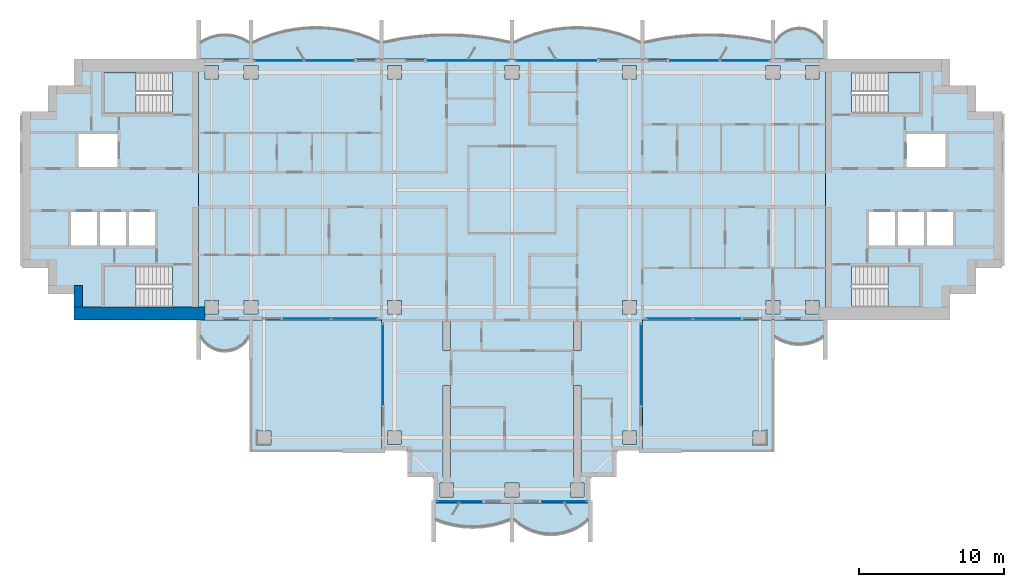
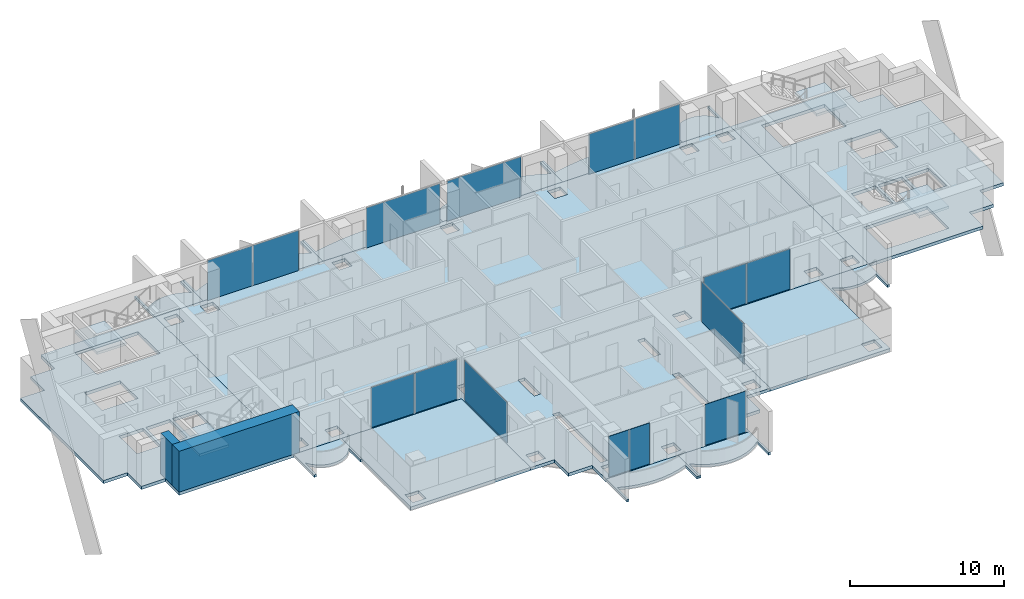
# One storey, part 7 of 18: 19 slabs, 14 plates, 2 walls, 14 elements without a shape of their own.
"""IFC4 building model written with IfcOpenShell, lengths in metres."""

from ifc_helpers import new_model, si_unit, direction, frame, frame_2d, origin, origin_2d, place, context, subcontext, project, spatial, polyline, rectangle, outline, extrude, material, layer, layer_set, type_object, element, aggregate, save


model = new_model("IFC4")

# Units and contexts
model_context = context("Model", 3, precision=1e-05, world=origin(), true_north=direction((0.0, 1.0)))
body_context = subcontext(model_context, "Body", "Model", "MODEL_VIEW")
ifc_project = project(units=[si_unit("LENGTHUNIT", "METRE"), si_unit("AREAUNIT", "SQUARE_METRE"), si_unit("VOLUMEUNIT", "CUBIC_METRE"), si_unit("PLANEANGLEUNIT", "RADIAN"), si_unit("MASSUNIT", "GRAM", prefix="KILO")], contexts=[model_context])

# Site, building, storey
site_placement = place(None, origin())
site = spatial("IfcSite", under=ifc_project, at=site_placement, CompositionType="ELEMENT")
building_placement = place(site_placement, origin())
building = spatial("IfcBuilding", under=site, at=building_placement, Name="Perihelion Cross Residences", CompositionType="ELEMENT")
storey_placement = place(building_placement, frame((0.0, 0.0, 215.60009765625)))
storey = spatial("IfcBuildingStorey", under=building, at=storey_placement, Name="L54", CompositionType="ELEMENT", Elevation=215.60009765625)

# Slabs
ifc_material_1 = material(Name="Concrete C40/50", Category="concrete")
ifc_layer_1 = layer(ifc_material_1, 0.199951171875)
ifc_layer_set_1 = layer_set([ifc_layer_1], Name="Balcony slab 200")
slab_type_1 = type_object("IfcSlabType", Name="Balcony slab 200", PredefinedType="FLOOR", material=ifc_layer_set_1)
slab_1_placement = place(storey_placement, frame((0.0, 0.0, -0.2001953125)))
element("IfcSlab", 1, at=slab_1_placement, inside=storey, type_object=slab_type_1, Name="Slab BK1 L54 east side north bay 1 balcony", PredefinedType="FLOOR", context=body_context, shape_type="SweptSolid", body=[
    extrude(outline(polyline([(21.60009765625, 9.0), (18.0, 9.0), (18.0, 11.699951171875), (18.14990234375, 11.699951171875), (18.14990234375, 10.199951171875), (18.425048828125, 10.568603515625), (18.699951171875, 10.806396484375), (18.97509765625, 10.96875), (19.25, 11.07568359375), (19.52490234375, 11.136962890625), (19.800048828125, 11.156982421875), (20.074951171875, 11.136962890625), (20.35009765625, 11.07568359375), (20.625, 10.96875), (20.89990234375, 10.806396484375), (21.175048828125, 10.568603515625), (21.449951171875, 10.199951171875), (21.449951171875, 11.699951171875), (21.60009765625, 11.699951171875), (21.60009765625, 9.0)])), origin(), (0.0, 0.0, 1.0), 0.2001953125),
])
slab_2_placement = place(storey_placement, frame((0.0, 0.0, -0.2001953125)))
element("IfcSlab", 2, at=slab_2_placement, inside=storey, type_object=slab_type_1, Name="Slab BK1 L54 east side north bay 2 balcony", PredefinedType="FLOOR", context=body_context, shape_type="SweptSolid", body=[
    extrude(outline(polyline([(18.0, 9.0), (9.0, 9.0), (9.0, 11.699951171875), (9.14990234375, 11.699951171875), (9.14990234375, 10.199951171875), (10.237548828125, 10.42041015625), (11.324951171875, 10.576171875), (12.41259765625, 10.669189453125), (13.5, 10.699951171875), (14.58740234375, 10.669189453125), (15.675048828125, 10.576171875), (16.762451171875, 10.42041015625), (17.85009765625, 10.199951171875), (17.85009765625, 11.699951171875), (18.0, 11.699951171875), (18.0, 9.0)])), origin(), (0.0, 0.0, 1.0), 0.2001953125),
])
slab_3_placement = place(storey_placement, frame((0.0, 0.0, -0.2001953125)))
element("IfcSlab", 3, at=slab_3_placement, inside=storey, type_object=slab_type_1, Name="Slab BK1 L54 north side east bay 1 balcony", PredefinedType="FLOOR", context=body_context, shape_type="SweptSolid", body=[
    extrude(outline(polyline([(9.0, 9.0), (0.0, 9.0), (0.0, 11.699951171875), (0.14990234375, 11.699951171875), (0.14990234375, 10.199951171875), (0.875, 10.51708984375), (1.60009765625, 10.7685546875), (2.324951171875, 10.959716796875), (3.050048828125, 11.093994140625), (3.77490234375, 11.173583984375), (4.5, 11.199951171875), (5.22509765625, 11.173583984375), (5.949951171875, 11.093994140625), (6.675048828125, 10.959716796875), (7.39990234375, 10.7685546875), (8.125, 10.51708984375), (8.85009765625, 10.199951171875), (8.85009765625, 11.699951171875), (9.0, 11.699951171875), (9.0, 9.0)])), origin(), (0.0, 0.0, 1.0), 0.2001953125),
])
slab_4_placement = place(storey_placement, frame((0.0, 0.0, -0.2001953125)))
element("IfcSlab", 4, at=slab_4_placement, inside=storey, type_object=slab_type_1, Name="Slab BK1 L54 north side east bay 2 balcony", PredefinedType="FLOOR", context=body_context, shape_type="SweptSolid", body=[
    extrude(outline(polyline([(0.0, 9.0), (-9.0, 9.0), (-9.0, 11.699951171875), (-8.85009765625, 11.699951171875), (-8.85009765625, 10.199951171875), (-7.762451171875, 10.42041015625), (-6.675048828125, 10.576171875), (-5.58740234375, 10.669189453125), (-4.5, 10.699951171875), (-3.41259765625, 10.669189453125), (-2.324951171875, 10.576171875), (-1.237548828125, 10.42041015625), (-0.14990234375, 10.199951171875), (-0.14990234375, 11.699951171875), (0.0, 11.699951171875), (0.0, 9.0)])), origin(), (0.0, 0.0, 1.0), 0.2001953125),
])
slab_5_placement = place(storey_placement, frame((0.0, 0.0, -0.2001953125)))
element("IfcSlab", 5, at=slab_5_placement, inside=storey, type_object=slab_type_1, Name="Slab BK1 L54 west side north bay 1 balcony", PredefinedType="FLOOR", context=body_context, shape_type="SweptSolid", body=[
    extrude(outline(polyline([(-9.0, 9.0), (-18.0, 9.0), (-18.0, 11.699951171875), (-17.85009765625, 11.699951171875), (-17.85009765625, 10.199951171875), (-17.125, 10.51708984375), (-16.39990234375, 10.7685546875), (-15.675048828125, 10.959716796875), (-14.949951171875, 11.093994140625), (-14.22509765625, 11.173583984375), (-13.5, 11.199951171875), (-12.77490234375, 11.173583984375), (-12.050048828125, 11.093994140625), (-11.324951171875, 10.959716796875), (-10.60009765625, 10.7685546875), (-9.875, 10.51708984375), (-9.14990234375, 10.199951171875), (-9.14990234375, 11.699951171875), (-9.0, 11.699951171875), (-9.0, 9.0)])), origin(), (0.0, 0.0, 1.0), 0.2001953125),
])
slab_6_placement = place(storey_placement, frame((0.0, 0.0, -0.2001953125)))
element("IfcSlab", 6, at=slab_6_placement, inside=storey, type_object=slab_type_1, Name="Slab BK1 L54 west side north bay 2 balcony", PredefinedType="FLOOR", context=body_context, shape_type="SweptSolid", body=[
    extrude(outline(polyline([(-18.0, 9.0), (-21.60009765625, 9.0), (-21.60009765625, 11.699951171875), (-21.449951171875, 11.699951171875), (-21.449951171875, 10.199951171875), (-21.083251953125, 10.40869140625), (-20.716552734375, 10.55517578125), (-20.35009765625, 10.648681640625), (-19.9833984375, 10.6943359375), (-19.61669921875, 10.6943359375), (-19.25, 10.648681640625), (-18.88330078125, 10.55517578125), (-18.5166015625, 10.40869140625), (-18.14990234375, 10.199951171875), (-18.14990234375, 11.699951171875), (-18.0, 11.699951171875), (-18.0, 9.0)])), origin(), (0.0, 0.0, 1.0), 0.2001953125),
])
slab_7_placement = place(storey_placement, frame((0.0, 0.0, -0.2001953125)))
element("IfcSlab", 7, at=slab_7_placement, inside=storey, type_object=slab_type_1, Name="Slab BK1 L54 west side south bay 1 balcony", PredefinedType="FLOOR", context=body_context, shape_type="SweptSolid", body=[
    extrude(outline(polyline([(-21.60009765625, -9.0), (-18.0, -9.0), (-18.0, -11.699951171875), (-18.14990234375, -11.699951171875), (-18.14990234375, -10.199951171875), (-18.425048828125, -10.568603515625), (-18.699951171875, -10.806396484375), (-18.97509765625, -10.96875), (-19.25, -11.07568359375), (-19.52490234375, -11.136962890625), (-19.800048828125, -11.156982421875), (-20.074951171875, -11.136962890625), (-20.35009765625, -11.07568359375), (-20.625, -10.96875), (-20.89990234375, -10.806396484375), (-21.175048828125, -10.568603515625), (-21.449951171875, -10.199951171875), (-21.449951171875, -11.699951171875), (-21.60009765625, -11.699951171875), (-21.60009765625, -9.0)])), origin(), (0.0, 0.0, 1.0), 0.2001953125),
])
slab_8_placement = place(storey_placement, frame((0.0, 0.0, -0.2001953125)))
element("IfcSlab", 8, at=slab_8_placement, inside=storey, type_object=slab_type_1, Name="Slab BK1 L54 south tip south bay 1 balcony", PredefinedType="FLOOR", context=body_context, shape_type="SweptSolid", body=[
    extrude(outline(polyline([(-5.39990234375, -21.60009765625), (0.0, -21.60009765625), (0.0, -24.300048828125), (-0.14990234375, -24.300048828125), (-0.14990234375, -22.800048828125), (-0.78759765625, -23.0234375), (-1.425048828125, -23.178466796875), (-2.0625, -23.269775390625), (-2.699951171875, -23.300048828125), (-3.33740234375, -23.269775390625), (-3.97509765625, -23.178466796875), (-4.612548828125, -23.0234375), (-5.25, -22.800048828125), (-5.25, -24.300048828125), (-5.39990234375, -24.300048828125), (-5.39990234375, -21.60009765625)])), origin(), (0.0, 0.0, 1.0), 0.2001953125),
])
slab_9_placement = place(storey_placement, frame((0.0, 0.0, -0.2001953125)))
element("IfcSlab", 9, at=slab_9_placement, inside=storey, type_object=slab_type_1, Name="Slab BK1 L54 south tip south bay 2 balcony", PredefinedType="FLOOR", context=body_context, shape_type="SweptSolid", body=[
    extrude(outline(polyline([(0.0, -21.60009765625), (5.39990234375, -21.60009765625), (5.39990234375, -24.300048828125), (5.25, -24.300048828125), (5.25, -22.800048828125), (4.824951171875, -23.14013671875), (4.39990234375, -23.392578125), (3.97509765625, -23.57666015625), (3.550048828125, -23.702392578125), (3.125, -23.77587890625), (2.699951171875, -23.800048828125), (2.27490234375, -23.77587890625), (1.85009765625, -23.702392578125), (1.425048828125, -23.57666015625), (1.0, -23.392578125), (0.574951171875, -23.14013671875), (0.14990234375, -22.800048828125), (0.14990234375, -24.300048828125), (0.0, -24.300048828125), (0.0, -21.60009765625)])), origin(), (0.0, 0.0, 1.0), 0.2001953125),
])
slab_10_placement = place(storey_placement, frame((0.0, 0.0, -0.2001953125)))
element("IfcSlab", 10, at=slab_10_placement, inside=storey, type_object=slab_type_1, Name="Slab BK1 L54 east side south bay 2 balcony", PredefinedType="FLOOR", context=body_context, shape_type="SweptSolid", body=[
    extrude(outline(polyline([(18.0, -9.0), (21.60009765625, -9.0), (21.60009765625, -11.699951171875), (21.449951171875, -11.699951171875), (21.449951171875, -10.199951171875), (21.083251953125, -10.40869140625), (20.716552734375, -10.55517578125), (20.35009765625, -10.648681640625), (19.9833984375, -10.6943359375), (19.61669921875, -10.6943359375), (19.25, -10.648681640625), (18.88330078125, -10.55517578125), (18.5166015625, -10.40869140625), (18.14990234375, -10.199951171875), (18.14990234375, -11.699951171875), (18.0, -11.699951171875), (18.0, -9.0)])), origin(), (0.0, 0.0, 1.0), 0.2001953125),
])

# Curtain wall, plates
ifc_material_2 = material(Name="Bronze anodised aluminium, tinted glazing", Category="aluminium")
curtain_wall_type = type_object("IfcCurtainWallType", Name="CW1", PredefinedType="NOTDEFINED", material=ifc_material_2)
curtain_wall_1_placement = place(storey_placement, origin())
curtain_wall_1 = element("IfcCurtainWall", 11, at=curtain_wall_1_placement, inside=storey, type_object=curtain_wall_type, Name="Curtain wall CW1 L54 east side north bay 2", PredefinedType="NOTDEFINED")
ifc_material_3 = material(Name="Tinted laminated glass", Category="glass")
ifc_layer_2 = layer(ifc_material_3, 0.028076171875)
ifc_layer_set_2 = layer_set([ifc_layer_2], Name="CW1 panel")
plate_type = type_object("IfcPlateType", Name="CW1 panel", PredefinedType="CURTAIN_PANEL", material=ifc_layer_set_2)
plate_1_placement = place(storey_placement, frame((16.06005859375, 8.89990234375, 0.0), z_axis=(0.0, 0.0, 1.0), x_axis=(-1.0, 0.0, 0.0)))
plate_1 = element("IfcPlate", 12, at=plate_1_placement, type_object=plate_type, Name="CW1 panel 1", PredefinedType="CURTAIN_PANEL", context=body_context, shape_type="SweptSolid", body=[
    extrude(rectangle(XDim=3.360107421875, YDim=0.028076171875, at=origin_2d()), origin(), (0.0, 0.0, 1.0), 3.18994140625),
])
plate_2_placement = place(storey_placement, frame((12.610107421875, 8.89990234375, 0.0), z_axis=(0.0, 0.0, 1.0), x_axis=(-1.0, 0.0, 0.0)))
plate_2 = element("IfcPlate", 13, at=plate_2_placement, type_object=plate_type, Name="CW1 panel 2", PredefinedType="CURTAIN_PANEL", context=body_context, shape_type="SweptSolid", body=[
    extrude(rectangle(XDim=3.419921875, YDim=0.028076171875, at=origin_2d()), origin(), (0.0, 0.0, 1.0), 3.18994140625),
])
aggregate(curtain_wall_1, [plate_1, plate_2])

# Curtain wall, plate
curtain_wall_2_placement = place(storey_placement, origin())
curtain_wall_2 = element("IfcCurtainWall", 14, at=curtain_wall_2_placement, inside=storey, type_object=curtain_wall_type, Name="Curtain wall CW1 L54 north side east bay 1", PredefinedType="NOTDEFINED")
plate_3_placement = place(storey_placement, frame((3.04248046875, 8.89990234375, 0.0), z_axis=(0.0, 0.0, 1.0), x_axis=(-1.0, 0.0, 0.0)))
plate_3 = element("IfcPlate", 15, at=plate_3_placement, type_object=plate_type, Name="CW1 panel 1", PredefinedType="CURTAIN_PANEL", context=body_context, shape_type="SweptSolid", body=[
    extrude(rectangle(XDim=5.56494140625, YDim=0.028076171875, at=origin_2d()), origin(), (0.0, 0.0, 1.0), 3.18994140625),
])
aggregate(curtain_wall_2, [plate_3])

curtain_wall_3_placement = place(storey_placement, origin())
curtain_wall_3 = element("IfcCurtainWall", 16, at=curtain_wall_3_placement, inside=storey, type_object=curtain_wall_type, Name="Curtain wall CW1 L54 north side east bay 2", PredefinedType="NOTDEFINED")
plate_4_placement = place(storey_placement, frame((-3.04248046875, 8.89990234375, 0.0), z_axis=(0.0, 0.0, 1.0), x_axis=(-1.0, 0.0, 0.0)))
plate_4 = element("IfcPlate", 17, at=plate_4_placement, type_object=plate_type, Name="CW1 panel 1", PredefinedType="CURTAIN_PANEL", context=body_context, shape_type="SweptSolid", body=[
    extrude(rectangle(XDim=5.56494140625, YDim=0.028076171875, at=origin_2d()), origin(), (0.0, 0.0, 1.0), 3.18994140625),
])
aggregate(curtain_wall_3, [plate_4])

# Curtain wall, plates
curtain_wall_4_placement = place(storey_placement, origin())
curtain_wall_4 = element("IfcCurtainWall", 18, at=curtain_wall_4_placement, inside=storey, type_object=curtain_wall_type, Name="Curtain wall CW1 L54 west side north bay 1", PredefinedType="NOTDEFINED")
plate_5_placement = place(storey_placement, frame((-12.610107421875, 8.89990234375, 0.0), z_axis=(0.0, 0.0, 1.0), x_axis=(-1.0, 0.0, 0.0)))
plate_5 = element("IfcPlate", 19, at=plate_5_placement, type_object=plate_type, Name="CW1 panel 1", PredefinedType="CURTAIN_PANEL", context=body_context, shape_type="SweptSolid", body=[
    extrude(rectangle(XDim=3.419921875, YDim=0.028076171875, at=origin_2d()), origin(), (0.0, 0.0, 1.0), 3.18994140625),
])
plate_6_placement = place(storey_placement, frame((-16.06005859375, 8.89990234375, 0.0), z_axis=(0.0, 0.0, 1.0), x_axis=(-1.0, 0.0, 0.0)))
plate_6 = element("IfcPlate", 20, at=plate_6_placement, type_object=plate_type, Name="CW1 panel 2", PredefinedType="CURTAIN_PANEL", context=body_context, shape_type="SweptSolid", body=[
    extrude(rectangle(XDim=3.360107421875, YDim=0.028076171875, at=origin_2d()), origin(), (0.0, 0.0, 1.0), 3.18994140625),
])
aggregate(curtain_wall_4, [plate_5, plate_6])

curtain_wall_5_placement = place(storey_placement, origin())
curtain_wall_5 = element("IfcCurtainWall", 21, at=curtain_wall_5_placement, inside=storey, type_object=curtain_wall_type, Name="Curtain wall CW1 L54 west side south bay 2", PredefinedType="NOTDEFINED")
plate_7_placement = place(storey_placement, frame((-14.108642578125, -8.89990234375, 0.0), z_axis=(0.0, 0.0, 1.0), x_axis=(1.0, 0.0, 0.0)))
plate_7 = element("IfcPlate", 22, at=plate_7_placement, type_object=plate_type, Name="CW1 panel 1", PredefinedType="CURTAIN_PANEL", context=body_context, shape_type="SweptSolid", body=[
    extrude(rectangle(XDim=3.232421875, YDim=0.028076171875, at=origin_2d()), origin(), (0.0, 0.0, 1.0), 3.18994140625),
])
plate_8_placement = place(storey_placement, frame((-10.84619140625, -8.89990234375, 0.0), z_axis=(0.0, 0.0, 1.0), x_axis=(1.0, 0.0, 0.0)))
plate_8 = element("IfcPlate", 23, at=plate_8_placement, type_object=plate_type, Name="CW1 panel 2", PredefinedType="CURTAIN_PANEL", context=body_context, shape_type="SweptSolid", body=[
    extrude(rectangle(XDim=3.172607421875, YDim=0.028076171875, at=origin_2d()), origin(), (0.0, 0.0, 1.0), 3.18994140625),
])
aggregate(curtain_wall_5, [plate_7, plate_8])

# Curtain wall, plate
curtain_wall_6_placement = place(storey_placement, origin())
curtain_wall_6 = element("IfcCurtainWall", 24, at=curtain_wall_6_placement, inside=storey, type_object=curtain_wall_type, Name="Curtain wall CW1 L54 south side west bay 1", PredefinedType="NOTDEFINED")
plate_9_placement = place(storey_placement, frame((-8.89990234375, -12.04248046875, 0.0), z_axis=(0.0, 0.0, 1.0), x_axis=(0.0, -1.0, 0.0)))
plate_9 = element("IfcPlate", 25, at=plate_9_placement, type_object=plate_type, Name="CW1 panel 1", PredefinedType="CURTAIN_PANEL", context=body_context, shape_type="SweptSolid", body=[
    extrude(rectangle(XDim=5.56494140625, YDim=0.028076171875, at=origin_2d()), origin(), (0.0, 0.0, 1.0), 3.18994140625),
])
aggregate(curtain_wall_6, [plate_9])

curtain_wall_7_placement = place(storey_placement, origin())
curtain_wall_7 = element("IfcCurtainWall", 26, at=curtain_wall_7_placement, inside=storey, type_object=curtain_wall_type, Name="Curtain wall CW1 L54 south tip south bay 1", PredefinedType="NOTDEFINED")
plate_10_placement = place(storey_placement, frame((-3.607421875, -21.5, 0.0), z_axis=(0.0, 0.0, 1.0), x_axis=(1.0, 0.0, 0.0)))
plate_10 = element("IfcPlate", 27, at=plate_10_placement, type_object=plate_type, Name="CW1 panel 1", PredefinedType="CURTAIN_PANEL", context=body_context, shape_type="SweptSolid", body=[
    extrude(rectangle(XDim=3.06494140625, YDim=0.028076171875, at=origin_2d()), origin(), (0.0, 0.0, 1.0), 3.25),
])
aggregate(curtain_wall_7, [plate_10])

curtain_wall_8_placement = place(storey_placement, origin())
curtain_wall_8 = element("IfcCurtainWall", 28, at=curtain_wall_8_placement, inside=storey, type_object=curtain_wall_type, Name="Curtain wall CW1 L54 south tip south bay 2", PredefinedType="NOTDEFINED")
plate_11_placement = place(storey_placement, frame((3.607421875, -21.5, 0.0), z_axis=(0.0, 0.0, 1.0), x_axis=(1.0, 0.0, 0.0)))
plate_11 = element("IfcPlate", 29, at=plate_11_placement, type_object=plate_type, Name="CW1 panel 1", PredefinedType="CURTAIN_PANEL", context=body_context, shape_type="SweptSolid", body=[
    extrude(rectangle(XDim=3.06494140625, YDim=0.028076171875, at=origin_2d()), origin(), (0.0, 0.0, 1.0), 3.25),
])
aggregate(curtain_wall_8, [plate_11])

curtain_wall_9_placement = place(storey_placement, origin())
curtain_wall_9 = element("IfcCurtainWall", 30, at=curtain_wall_9_placement, inside=storey, type_object=curtain_wall_type, Name="Curtain wall CW1 L54 south side east bay 1", PredefinedType="NOTDEFINED")
plate_12_placement = place(storey_placement, frame((8.89990234375, -12.04248046875, 0.0), z_axis=(0.0, 0.0, 1.0), x_axis=(0.0, 1.0, 0.0)))
plate_12 = element("IfcPlate", 31, at=plate_12_placement, type_object=plate_type, Name="CW1 panel 1", PredefinedType="CURTAIN_PANEL", context=body_context, shape_type="SweptSolid", body=[
    extrude(rectangle(XDim=5.56494140625, YDim=0.028076171875, at=origin_2d()), origin(), (0.0, 0.0, 1.0), 3.18994140625),
])
aggregate(curtain_wall_9, [plate_12])

# Curtain wall, plates
curtain_wall_10_placement = place(storey_placement, origin())
curtain_wall_10 = element("IfcCurtainWall", 32, at=curtain_wall_10_placement, inside=storey, type_object=curtain_wall_type, Name="Curtain wall CW1 L54 east side south bay 1", PredefinedType="NOTDEFINED")
plate_13_placement = place(storey_placement, frame((10.84619140625, -8.89990234375, 0.0), z_axis=(0.0, 0.0, 1.0), x_axis=(1.0, 0.0, 0.0)))
plate_13 = element("IfcPlate", 33, at=plate_13_placement, type_object=plate_type, Name="CW1 panel 1", PredefinedType="CURTAIN_PANEL", context=body_context, shape_type="SweptSolid", body=[
    extrude(rectangle(XDim=3.172607421875, YDim=0.028076171875, at=origin_2d()), origin(), (0.0, 0.0, 1.0), 3.18994140625),
])
plate_14_placement = place(storey_placement, frame((14.108642578125, -8.89990234375, 0.0), z_axis=(0.0, 0.0, 1.0), x_axis=(1.0, 0.0, 0.0)))
plate_14 = element("IfcPlate", 34, at=plate_14_placement, type_object=plate_type, Name="CW1 panel 2", PredefinedType="CURTAIN_PANEL", context=body_context, shape_type="SweptSolid", body=[
    extrude(rectangle(XDim=3.232421875, YDim=0.028076171875, at=origin_2d()), origin(), (0.0, 0.0, 1.0), 3.18994140625),
])
aggregate(curtain_wall_10, [plate_13, plate_14])

# Slabs
ifc_material_4 = material(Name="Concrete C40/50", Category="concrete")
ifc_layer_3 = layer(ifc_material_4, 0.25)
ifc_layer_set_3 = layer_set([ifc_layer_3], Name="Core floor slab 250")
slab_type_2 = type_object("IfcSlabType", Name="Core floor slab 250", PredefinedType="FLOOR", material=ifc_layer_set_3)
slab_11_placement = place(storey_placement, frame((0.0, 0.0, -0.25)))
element("IfcSlab", 35, at=slab_11_placement, inside=storey, type_object=slab_type_2, Name="East core floor slab", PredefinedType="FLOOR", context=body_context, shape_type="SweptSolid", body=[
    extrude(outline(polyline([(30.199951171875, 7.199951171875), (32.0, 7.199951171875), (32.0, 5.39990234375), (33.800048828125, 5.39990234375), (33.800048828125, -5.39990234375), (32.0, -5.39990234375), (32.0, -7.199951171875), (30.199951171875, -7.199951171875), (30.199951171875, -9.0), (21.60009765625, -9.0), (21.60009765625, 9.0), (30.199951171875, 9.0), (30.199951171875, 7.199951171875)]), holes=[polyline([(28.14990234375, -8.10009765625), (28.14990234375, -5.25), (23.405029296875, -5.25), (23.405029296875, -8.10009765625), (28.14990234375, -8.10009765625)]), polyline([(24.60009765625, -1.550048828125), (24.60009765625, -3.85009765625), (26.39990234375, -3.85009765625), (26.39990234375, -1.550048828125), (24.60009765625, -1.550048828125)]), polyline([(26.60009765625, -1.550048828125), (26.60009765625, -3.85009765625), (28.39990234375, -3.85009765625), (28.39990234375, -1.550048828125), (26.60009765625, -1.550048828125)]), polyline([(28.60009765625, -3.85009765625), (30.39990234375, -3.85009765625), (30.39990234375, -1.550048828125), (28.60009765625, -1.550048828125), (28.60009765625, -3.85009765625)]), polyline([(27.199951171875, 3.85009765625), (27.199951171875, 1.550048828125), (29.89990234375, 1.550048828125), (29.89990234375, 3.85009765625), (27.199951171875, 3.85009765625)]), polyline([(23.405029296875, 5.25), (28.14990234375, 5.25), (28.14990234375, 8.10009765625), (23.405029296875, 8.10009765625), (23.405029296875, 5.25)])]), origin(), (0.0, 0.0, 1.0), 0.25),
])
slab_12_placement = place(storey_placement, frame((0.0, 0.0, -0.25)))
element("IfcSlab", 36, at=slab_12_placement, inside=storey, type_object=slab_type_2, Name="West core floor slab", PredefinedType="FLOOR", context=body_context, shape_type="SweptSolid", body=[
    extrude(outline(polyline([(-30.199951171875, 7.199951171875), (-32.0, 7.199951171875), (-32.0, 5.39990234375), (-33.800048828125, 5.39990234375), (-33.800048828125, -5.39990234375), (-32.0, -5.39990234375), (-32.0, -7.199951171875), (-30.199951171875, -7.199951171875), (-30.199951171875, -9.0), (-21.60009765625, -9.0), (-21.60009765625, 9.0), (-30.199951171875, 9.0), (-30.199951171875, 7.199951171875)]), holes=[polyline([(-28.14990234375, -8.10009765625), (-28.14990234375, -5.25), (-23.405029296875, -5.25), (-23.405029296875, -8.10009765625), (-28.14990234375, -8.10009765625)]), polyline([(-24.60009765625, -1.550048828125), (-24.60009765625, -3.85009765625), (-26.39990234375, -3.85009765625), (-26.39990234375, -1.550048828125), (-24.60009765625, -1.550048828125)]), polyline([(-26.60009765625, -1.550048828125), (-26.60009765625, -3.85009765625), (-28.39990234375, -3.85009765625), (-28.39990234375, -1.550048828125), (-26.60009765625, -1.550048828125)]), polyline([(-28.60009765625, -3.85009765625), (-30.39990234375, -3.85009765625), (-30.39990234375, -1.550048828125), (-28.60009765625, -1.550048828125), (-28.60009765625, -3.85009765625)]), polyline([(-27.199951171875, 3.85009765625), (-27.199951171875, 1.550048828125), (-29.89990234375, 1.550048828125), (-29.89990234375, 3.85009765625), (-27.199951171875, 3.85009765625)]), polyline([(-23.405029296875, 5.25), (-28.14990234375, 5.25), (-28.14990234375, 8.10009765625), (-23.405029296875, 8.10009765625), (-23.405029296875, 5.25)])]), origin(), (0.0, 0.0, 1.0), 0.25),
])
ifc_material_5 = material(Name="Concrete C40/50", Category="concrete")
ifc_layer_4 = layer(ifc_material_5, 0.25)
ifc_layer_set_4 = layer_set([ifc_layer_4], Name="Corner terrace slab")
slab_type_3 = type_object("IfcSlabType", Name="Corner terrace slab", PredefinedType="FLOOR", material=ifc_layer_set_4)
slab_13_placement = place(storey_placement, frame((0.0, 0.0, -0.25)))
element("IfcSlab", 37, at=slab_13_placement, inside=storey, type_object=slab_type_3, Name="Slab BK2 L54 pocket south-west", PredefinedType="FLOOR", context=body_context, shape_type="SweptSolid", body=[
    extrude(outline(polyline([(-9.0, -18.0), (-9.0, -9.0), (-18.0, -9.0), (-18.0, -18.0), (-9.0, -18.0)]), holes=[polyline([(-16.625, -17.614990234375), (-17.614990234375, -17.614990234375), (-17.614990234375, -16.5849609375), (-17.574951171875, -16.5849609375), (-17.574951171875, -16.625), (-16.625, -16.625), (-16.625, -17.614990234375)])]), origin(), (0.0, 0.0, 1.0), 0.25),
])
slab_14_placement = place(storey_placement, frame((0.0, 0.0, -0.25)))
element("IfcSlab", 38, at=slab_14_placement, inside=storey, type_object=slab_type_3, Name="Slab BK2 L54 pocket south-east", PredefinedType="FLOOR", context=body_context, shape_type="SweptSolid", body=[
    extrude(outline(polyline([(18.0, -18.0), (18.0, -9.0), (9.0, -9.0), (9.0, -18.0), (18.0, -18.0)]), holes=[polyline([(16.625, -17.614990234375), (16.625, -16.625), (17.574951171875, -16.625), (17.574951171875, -16.5849609375), (17.614990234375, -16.5849609375), (17.614990234375, -17.614990234375), (16.625, -17.614990234375)])]), origin(), (0.0, 0.0, 1.0), 0.25),
])

# Stair, slab
ifc_material_6 = material(Name="Concrete C40/50", Category="concrete")
stair_type = type_object("IfcStairType", Name="Exit stair, half-turn", PredefinedType="HALF_TURN_STAIR", material=ifc_material_6)
stair_1_placement = place(storey_placement, origin())
stair_1 = element("IfcStair", 39, at=stair_1_placement, inside=storey, type_object=stair_type, Name="L54 East core exit stair 1", PredefinedType="HALF_TURN_STAIR")
ifc_material_7 = material(Name="Concrete C40/50", Category="concrete")
ifc_layer_5 = layer(ifc_material_7, 0.199951171875)
ifc_layer_set_5 = layer_set([ifc_layer_5], Name="Exit stair landing 200")
slab_type_4 = type_object("IfcSlabType", Name="Exit stair landing 200", PredefinedType="LANDING", material=ifc_layer_set_5)
slab_15_placement = place(storey_placement, frame((0.0, 0.0, 1.5498046875)))
slab_15 = element("IfcSlab", 40, at=slab_15_placement, type_object=slab_type_4, Name="ST-E1 landing 1", PredefinedType="LANDING", context=body_context, shape_type="SweptSolid", body=[
    extrude(outline(polyline([(25.919921875, 5.25), (28.14990234375, 5.25), (28.14990234375, 8.10009765625), (25.919921875, 8.10009765625), (25.919921875, 5.25)])), origin(), (0.0, 0.0, 1.0), 0.2001953125),
])
aggregate(stair_1, [slab_15])

stair_2_placement = place(storey_placement, origin())
stair_2 = element("IfcStair", 41, at=stair_2_placement, inside=storey, type_object=stair_type, Name="L54 East core exit stair 2", PredefinedType="HALF_TURN_STAIR")
slab_16_placement = place(storey_placement, frame((0.0, 0.0, 1.5498046875)))
slab_16 = element("IfcSlab", 42, at=slab_16_placement, type_object=slab_type_4, Name="ST-E2 landing 1", PredefinedType="LANDING", context=body_context, shape_type="SweptSolid", body=[
    extrude(outline(polyline([(25.919921875, -8.10009765625), (28.14990234375, -8.10009765625), (28.14990234375, -5.25), (25.919921875, -5.25), (25.919921875, -8.10009765625)])), origin(), (0.0, 0.0, 1.0), 0.2001953125),
])
aggregate(stair_2, [slab_16])

stair_3_placement = place(storey_placement, origin())
stair_3 = element("IfcStair", 43, at=stair_3_placement, inside=storey, type_object=stair_type, Name="L54 West core exit stair 1", PredefinedType="HALF_TURN_STAIR")
slab_17_placement = place(storey_placement, frame((0.0, 0.0, 1.5498046875)))
slab_17 = element("IfcSlab", 44, at=slab_17_placement, type_object=slab_type_4, Name="ST-W1 landing 1", PredefinedType="LANDING", context=body_context, shape_type="SweptSolid", body=[
    extrude(outline(polyline([(-25.919921875, 8.10009765625), (-28.14990234375, 8.10009765625), (-28.14990234375, 5.25), (-25.919921875, 5.25), (-25.919921875, 8.10009765625)])), origin(), (0.0, 0.0, 1.0), 0.2001953125),
])
aggregate(stair_3, [slab_17])

stair_4_placement = place(storey_placement, origin())
stair_4 = element("IfcStair", 45, at=stair_4_placement, inside=storey, type_object=stair_type, Name="L54 West core exit stair 2", PredefinedType="HALF_TURN_STAIR")
slab_18_placement = place(storey_placement, frame((0.0, 0.0, 1.5498046875)))
slab_18 = element("IfcSlab", 46, at=slab_18_placement, type_object=slab_type_4, Name="ST-W2 landing 1", PredefinedType="LANDING", context=body_context, shape_type="SweptSolid", body=[
    extrude(outline(polyline([(-25.919921875, -5.25), (-28.14990234375, -5.25), (-28.14990234375, -8.10009765625), (-25.919921875, -8.10009765625), (-25.919921875, -5.25)])), origin(), (0.0, 0.0, 1.0), 0.2001953125),
])
aggregate(stair_4, [slab_18])

# Slab
ifc_material_8 = material(Name="Concrete C50/60", Category="concrete")
ifc_layer_6 = layer(ifc_material_8, 0.25)
ifc_layer_set_6 = layer_set([ifc_layer_6], Name="Residential floor post-tensioned slab concrete C50/60")
slab_type_5 = type_object("IfcSlabType", Name="Residential floor post-tensioned slab concrete C50/60", PredefinedType="FLOOR", material=ifc_layer_set_6)
slab_19_placement = place(storey_placement, frame((0.0, 0.0, -0.25)))
element("IfcSlab", 47, at=slab_19_placement, inside=storey, type_object=slab_type_5, Name="Slab SL8 L54 1 no. 1", PredefinedType="FLOOR", context=body_context, shape_type="SweptSolid", body=[
    extrude(outline(polyline([(-9.0, 9.0), (9.0, 9.0), (21.60009765625, 9.0), (21.60009765625, -9.0), (9.0, -9.0), (9.0, -18.0), (7.199951171875, -18.0), (7.199951171875, -19.800048828125), (5.39990234375, -19.800048828125), (5.39990234375, -21.60009765625), (-5.39990234375, -21.60009765625), (-5.39990234375, -19.800048828125), (-7.199951171875, -19.800048828125), (-7.199951171875, -18.0), (-9.0, -18.0), (-9.0, -9.0), (-21.60009765625, -9.0), (-21.60009765625, 9.0), (-9.0, 9.0)]), holes=[polyline([(-4.02490234375, -20.22509765625), (-4.97509765625, -20.22509765625), (-4.97509765625, -21.175048828125), (-4.02490234375, -21.175048828125), (-4.02490234375, -20.22509765625)]), polyline([(0.47509765625, -21.175048828125), (0.47509765625, -20.22509765625), (-0.47509765625, -20.22509765625), (-0.47509765625, -21.175048828125), (0.47509765625, -21.175048828125)]), polyline([(-7.625, -17.574951171875), (-7.625, -16.625), (-8.574951171875, -16.625), (-8.574951171875, -17.574951171875), (-7.625, -17.574951171875)]), polyline([(-4.25, -13.5), (-4.75, -13.5), (-4.75, -19.800048828125), (-4.25, -19.800048828125), (-4.25, -13.5)]), polyline([(-4.25, -11.10009765625), (-4.25, -9.0), (-4.75, -9.0), (-4.75, -11.10009765625), (-4.25, -11.10009765625)]), polyline([(-20.22509765625, -8.574951171875), (-20.22509765625, -7.625), (-21.175048828125, -7.625), (-21.175048828125, -8.574951171875), (-20.22509765625, -8.574951171875)]), polyline([(-17.52490234375, -7.625), (-18.47509765625, -7.625), (-18.47509765625, -8.574951171875), (-17.52490234375, -8.574951171875), (-17.52490234375, -7.625)]), polyline([(-7.625, -8.574951171875), (-7.625, -7.625), (-8.574951171875, -7.625), (-8.574951171875, -8.574951171875), (-7.625, -8.574951171875)]), polyline([(-20.22509765625, 8.574951171875), (-21.175048828125, 8.574951171875), (-21.175048828125, 7.625), (-20.22509765625, 7.625), (-20.22509765625, 8.574951171875)]), polyline([(-17.52490234375, 7.625), (-17.52490234375, 8.574951171875), (-18.47509765625, 8.574951171875), (-18.47509765625, 7.625), (-17.52490234375, 7.625)]), polyline([(-7.625, 7.625), (-7.625, 8.574951171875), (-8.574951171875, 8.574951171875), (-8.574951171875, 7.625), (-7.625, 7.625)]), polyline([(4.97509765625, -20.22509765625), (4.02490234375, -20.22509765625), (4.02490234375, -21.175048828125), (4.97509765625, -21.175048828125), (4.97509765625, -20.22509765625)]), polyline([(8.574951171875, -17.574951171875), (8.574951171875, -16.625), (7.625, -16.625), (7.625, -17.574951171875), (8.574951171875, -17.574951171875)]), polyline([(4.75, -19.800048828125), (4.75, -13.5), (4.25, -13.5), (4.25, -19.800048828125), (4.75, -19.800048828125)]), polyline([(4.75, -9.0), (4.25, -9.0), (4.25, -11.10009765625), (4.75, -11.10009765625), (4.75, -9.0)]), polyline([(8.574951171875, -8.574951171875), (8.574951171875, -7.625), (7.625, -7.625), (7.625, -8.574951171875), (8.574951171875, -8.574951171875)]), polyline([(18.47509765625, -8.574951171875), (18.47509765625, -7.625), (17.52490234375, -7.625), (17.52490234375, -8.574951171875), (18.47509765625, -8.574951171875)]), polyline([(21.175048828125, -7.625), (20.22509765625, -7.625), (20.22509765625, -8.574951171875), (21.175048828125, -8.574951171875), (21.175048828125, -7.625)]), polyline([(0.47509765625, 7.625), (0.47509765625, 8.574951171875), (-0.47509765625, 8.574951171875), (-0.47509765625, 7.625), (0.47509765625, 7.625)]), polyline([(8.574951171875, 8.574951171875), (7.625, 8.574951171875), (7.625, 7.625), (8.574951171875, 7.625), (8.574951171875, 8.574951171875)]), polyline([(18.47509765625, 7.625), (18.47509765625, 8.574951171875), (17.52490234375, 8.574951171875), (17.52490234375, 7.625), (18.47509765625, 7.625)]), polyline([(21.175048828125, 7.625), (21.175048828125, 8.574951171875), (20.22509765625, 8.574951171875), (20.22509765625, 7.625), (21.175048828125, 7.625)])]), origin(), (0.0, 0.0, 1.0), 0.25),
])

# Walls
ifc_material_9 = material(Name="Concrete C60/75", Category="concrete")
ifc_layer_7 = layer(ifc_material_9, 0.60009765625)
ifc_layer_set_7 = layer_set([ifc_layer_7], Name="Core wall, outer 600")
wall_type_1 = type_object("IfcWallType", Name="Core wall, outer 600", PredefinedType="SHEAR", material=ifc_layer_set_7)
wall_1_placement = place(storey_placement, frame((-29.89990234375, -8.10009765625, 0.0), z_axis=(0.0, 0.0, 1.0), x_axis=(0.0, 1.0, 0.0)))
element("IfcWall", 48, at=wall_1_placement, inside=storey, type_object=wall_type_1, Name="West core core wall, outer", PredefinedType="SHEAR", context=body_context, shape_type="SweptSolid", body=[
    extrude(rectangle(XDim=1.5, YDim=0.60009765625, at=frame_2d((0.75, 0.0))), origin(), (0.0, 0.0, 1.0), 3.25),
])
ifc_material_10 = material(Name="Concrete C60/75", Category="concrete")
ifc_layer_8 = layer(ifc_material_10, 0.89990234375)
ifc_layer_set_8 = layer_set([ifc_layer_8], Name="Core wall, outer 900")
wall_type_2 = type_object("IfcWallType", Name="Core wall, outer 900", PredefinedType="SHEAR", material=ifc_layer_set_8)
wall_2_placement = place(storey_placement, frame((-30.199951171875, -8.550048828125, 0.0), z_axis=(0.0, 0.0, 1.0), x_axis=(1.0, 0.0, 0.0)))
element("IfcWall", 49, at=wall_2_placement, inside=storey, type_object=wall_type_2, Name="West core core wall, outer", PredefinedType="SHEAR", context=body_context, shape_type="SweptSolid", body=[
    extrude(rectangle(XDim=9.02490234375, YDim=0.89990234375, at=frame_2d((4.512451171875, 0.0))), origin(), (0.0, 0.0, 1.0), 3.25),
])

save(model, "model.ifc")
